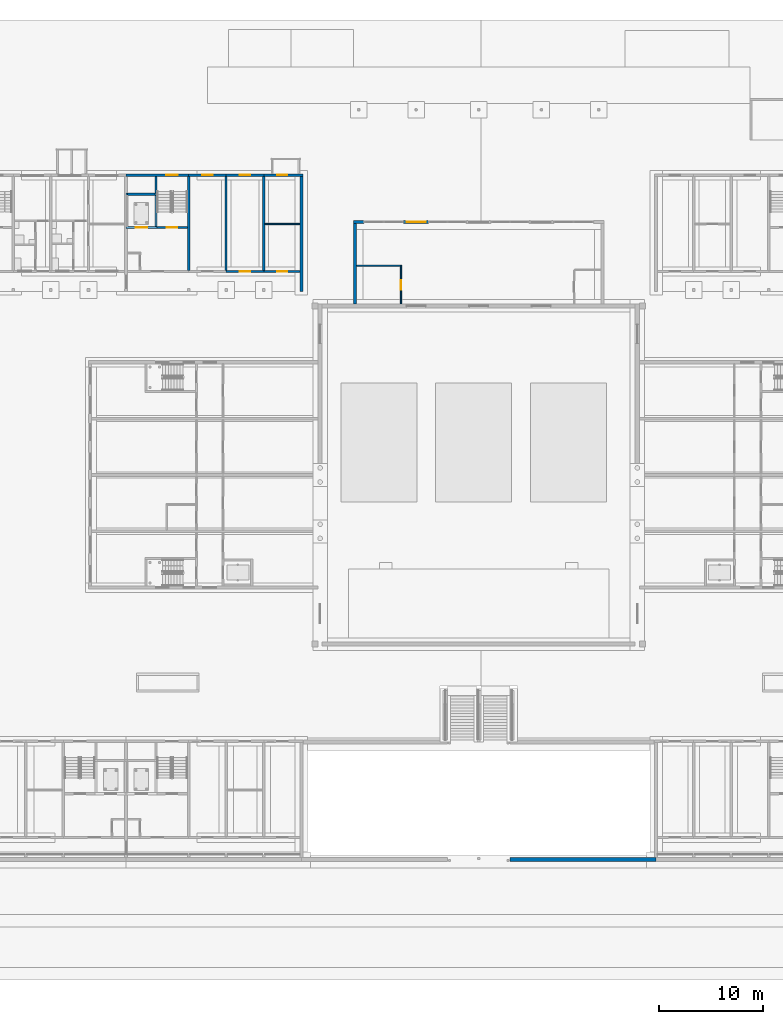
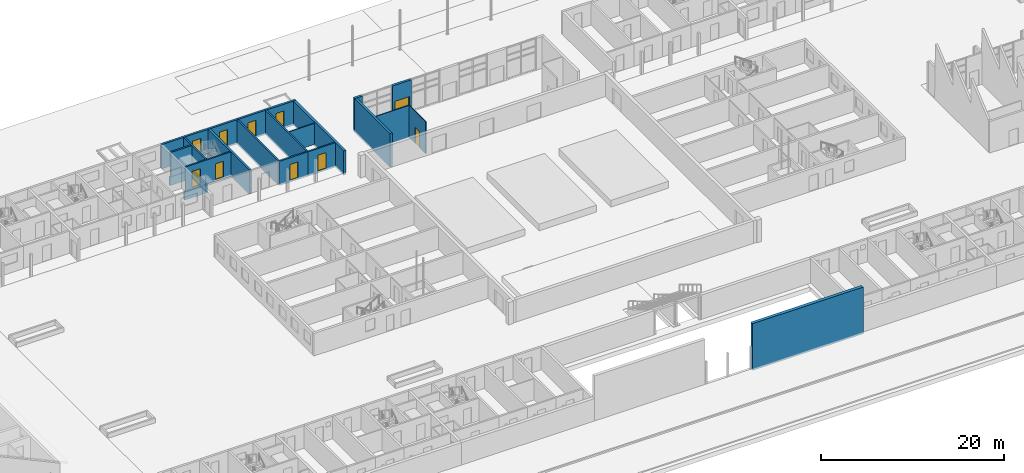
# One storey, part 53 of 112: 23 walls, 10 doors, 10 openings.
"""IFC4 building model written with IfcOpenShell, lengths in metres."""

from ifc_helpers import new_model, si_unit, direction, frame, frame_2d, origin, place, context, subcontext, project, spatial, rectangle, extrude, material, layer, layer_set, type_object, element, fill, save


model = new_model("IFC4")

# Units and contexts
model_context = context("Model", 3, precision=1e-05, world=origin(), true_north=direction((0.0, 1.0)))
body_context = subcontext(model_context, "Body", "Model", "MODEL_VIEW")
ifc_project = project(units=[si_unit("LENGTHUNIT", "METRE"), si_unit("AREAUNIT", "SQUARE_METRE"), si_unit("VOLUMEUNIT", "CUBIC_METRE"), si_unit("PLANEANGLEUNIT", "RADIAN"), si_unit("MASSUNIT", "GRAM", prefix="KILO")], contexts=[model_context])

# Site, building, storey
site_placement = place(None, origin())
site = spatial("IfcSite", under=ifc_project, at=site_placement, CompositionType="ELEMENT")
building_placement = place(site_placement, origin())
building = spatial("IfcBuilding", under=site, at=building_placement, Name="Ridgestep Commons", CompositionType="ELEMENT")
storey_placement = place(building_placement, origin())
storey = spatial("IfcBuildingStorey", under=building, at=storey_placement, Name="L00", CompositionType="ELEMENT", Elevation=0.0)

# Wall, opening, door
ifc_material_1 = material(Name="Common brick 110 mm", Category="masonry")
ifc_layer_1 = layer(ifc_material_1, 0.110107421875)
ifc_layer_set_1 = layer_set([ifc_layer_1], Name="Community partition 110")
wall_type_1 = type_object("IfcWallType", Name="Community partition 110", PredefinedType="PARTITIONING", material=ifc_layer_set_1)
wall_1_placement = place(storey_placement, frame((122.35498046875, 64.800048828125, 0.0), z_axis=(0.0, 0.0, 1.0), x_axis=(0.0, 1.0, 0.0)))
wall_1 = element("IfcWall", 1, at=wall_1_placement, inside=storey, type_object=wall_type_1, Name="Community partition 110", PredefinedType="PARTITIONING", context=body_context, shape_type="SweptSolid", body=[
    extrude(rectangle(XDim=3.599853515625, YDim=0.110107421875, at=frame_2d((1.7998046875, 0.0))), origin(), (0.0, 0.0, 1.0), 4.25),
])
opening_1_placement = place(wall_1_placement, frame((1.35009765625, 0.0, 0.0)))
opening_1 = element("IfcOpeningElement", 2, at=opening_1_placement, cuts=wall_1, Name="Opening C050", PredefinedType="OPENING", context=body_context, shape_type="SweptSolid", body=[
    extrude(rectangle(XDim=0.89990234375, YDim=2.10009765625, at=frame_2d((0.449951171875, 1.050048828125))), frame((0.0, 0.06494140625, 0.0), z_axis=(0.0, -1.0, 0.0), x_axis=(1.0, 0.0, 0.0)), (0.0, 0.0, 1.0), 0.130126953125),
])
ifc_material_2 = material(Name="Timber", Category="wood")
door_type_1 = type_object("IfcDoorType", Name="Community door 900 x 2100", OperationType="SINGLE_SWING_LEFT", PredefinedType="DOOR", material=ifc_material_2)
door_1_placement = place(opening_1_placement, origin())
door_1 = element("IfcDoor", 3, at=door_1_placement, inside=storey, type_object=door_type_1, Name="Community door 900 x 2100", OperationType="SINGLE_SWING_LEFT", OverallHeight=2.10009765625, OverallWidth=0.89990234375, PredefinedType="DOOR", context=body_context, shape_type="SweptSolid", body=[
    extrude(rectangle(XDim=0.89990234375, YDim=2.10009765625, at=frame_2d((0.449951171875, 1.050048828125))), frame((0.0, 0.02490234375, 0.0), z_axis=(0.0, -1.0, 0.0), x_axis=(1.0, 0.0, 0.0)), (0.0, 0.0, 1.0), 0.050048828125),
])
fill(opening_1, door_1)

# Walls
wall_2_placement = place(storey_placement, frame((118.10009765625, 68.455078125, 0.0), z_axis=(0.0, 0.0, 1.0), x_axis=(1.0, 0.0, 0.0)))
element("IfcWall", 4, at=wall_2_placement, inside=storey, type_object=wall_type_1, Name="Community partition 110", PredefinedType="PARTITIONING", context=body_context, shape_type="SweptSolid", body=[
    extrude(rectangle(XDim=4.309814453125, YDim=0.110107421875, at=frame_2d((2.15478515625, 0.0))), origin(), (0.0, 0.0, 1.0), 4.25),
])
ifc_material_3 = material(Name="Concrete C30/37", Category="concrete")
ifc_layer_2 = layer(ifc_material_3, 0.39990234375)
ifc_layer_set_2 = layer_set([ifc_layer_2], Name="Community retaining wall 400")
wall_type_2 = type_object("IfcWallType", Name="Community retaining wall 400", PredefinedType="SOLIDWALL", material=ifc_layer_set_2)
wall_3_placement = place(storey_placement, frame((132.800048828125, 11.550048828125, -0.25), z_axis=(0.0, 0.0, 1.0), x_axis=(1.0, 0.0, 0.0)))
element("IfcWall", 5, at=wall_3_placement, inside=storey, type_object=wall_type_2, Name="Community retaining wall 400", PredefinedType="SOLIDWALL", context=body_context, shape_type="SweptSolid", body=[
    extrude(rectangle(XDim=14.0, YDim=0.39990234375, at=frame_2d((7.0, 0.0))), origin(), (0.0, 0.0, 1.0), 6.25),
])
ifc_material_4 = material(Name="Concrete C30/37", Category="concrete")
ifc_layer_3 = layer(ifc_material_4, 0.25)
ifc_layer_set_3 = layer_set([ifc_layer_3], Name="Core cross wall 250")
wall_type_3 = type_object("IfcWallType", Name="Core cross wall 250", PredefinedType="SHEAR", material=ifc_layer_set_3)
wall_4_placement = place(storey_placement, frame((102.0, 68.0, -0.25), z_axis=(0.0, 0.0, 1.0), x_axis=(0.0, 1.0, 0.0)))
element("IfcWall", 6, at=wall_4_placement, inside=storey, type_object=wall_type_3, Name="Cross wall B-00-1020", PredefinedType="SHEAR", context=body_context, shape_type="SweptSolid", body=[
    extrude(rectangle(XDim=9.0, YDim=0.25, at=frame_2d((4.5, 0.0))), origin(), (0.0, 0.0, 1.0), 3.25),
])

# Wall, openings, doors
ifc_material_5 = material(Name="Concrete C30/37", Category="concrete")
ifc_layer_4 = layer(ifc_material_5, 0.199951171875)
ifc_layer_set_4 = layer_set([ifc_layer_4], Name="Core wall 200")
wall_type_4 = type_object("IfcWallType", Name="Core wall 200", PredefinedType="SHEAR", material=ifc_layer_set_4)
wall_5_placement = place(storey_placement, frame((96.14990234375, 72.10009765625, -0.25), z_axis=(0.0, 0.0, 1.0), x_axis=(1.0, 0.0, 0.0)))
wall_5 = element("IfcWall", 7, at=wall_5_placement, inside=storey, type_object=wall_type_4, Name="Core lobby wall B6C L00", PredefinedType="SHEAR", context=body_context, shape_type="SweptSolid", body=[
    extrude(rectangle(XDim=5.72509765625, YDim=0.199951171875, at=frame_2d((2.862548828125, 0.0))), origin(), (0.0, 0.0, 1.0), 3.25),
])
opening_2_placement = place(wall_5_placement, frame((3.77490234375, 0.0, 0.25)))
opening_2 = element("IfcOpeningElement", 8, at=opening_2_placement, cuts=wall_5, Name="Opening B6C/00/2", PredefinedType="OPENING", context=body_context, shape_type="SweptSolid", body=[
    extrude(rectangle(XDim=1.0, YDim=2.10009765625, at=frame_2d((0.5, 1.050048828125))), frame((0.0, 0.10986328125, 0.0), z_axis=(0.0, -1.0, 0.0), x_axis=(1.0, 0.0, 0.0)), (0.0, 0.0, 1.0), 0.219970703125),
])
opening_3_placement = place(wall_5_placement, frame((0.762451171875, 0.0, 0.25)))
opening_3 = element("IfcOpeningElement", 9, at=opening_3_placement, cuts=wall_5, Name="Opening B6C/00/3", PredefinedType="OPENING", context=body_context, shape_type="SweptSolid", body=[
    extrude(rectangle(XDim=1.10009765625, YDim=2.10009765625, at=frame_2d((0.550048828125, 1.050048828125))), frame((0.0, 0.10986328125, 0.0), z_axis=(0.0, -1.0, 0.0), x_axis=(1.0, 0.0, 0.0)), (0.0, 0.0, 1.0), 0.219970703125),
])
ifc_material_6 = material(Name="Stainless steel", Category="steel")
door_type_2 = type_object("IfcDoorType", Name="Lift landing door 1100 x 2100 FD60", OperationType="DOUBLE_DOOR_SLIDING", PredefinedType="DOOR", material=ifc_material_6)
door_2_placement = place(opening_3_placement, origin())
door_2 = element("IfcDoor", 10, at=door_2_placement, inside=storey, type_object=door_type_2, Name="Landing door LD B6C L00", OperationType="DOUBLE_DOOR_SLIDING", OverallHeight=2.10009765625, OverallWidth=1.10009765625, PredefinedType="DOOR", context=body_context, shape_type="SweptSolid", body=[
    extrude(rectangle(XDim=1.10009765625, YDim=2.10009765625, at=frame_2d((0.550048828125, 1.050048828125))), frame((0.0, 0.02490234375, 0.0), z_axis=(0.0, -1.0, 0.0), x_axis=(1.0, 0.0, 0.0)), (0.0, 0.0, 1.0), 0.050048828125),
])
fill(opening_3, door_2)
ifc_material_7 = material(Name="Steel fire door", Category="steel")
door_type_3 = type_object("IfcDoorType", Name="Stair door 1000 x 2100 FD60", OperationType="NOTDEFINED", PredefinedType="DOOR", material=ifc_material_7)
door_3_placement = place(opening_2_placement, origin())
door_3 = element("IfcDoor", 11, at=door_3_placement, inside=storey, type_object=door_type_3, Name="Stair door B6C/00/2", OperationType="SINGLE_SWING_RIGHT", OverallHeight=2.10009765625, OverallWidth=1.0, PredefinedType="DOOR", context=body_context, shape_type="SweptSolid", body=[
    extrude(rectangle(XDim=1.0, YDim=2.10009765625, at=frame_2d((0.5, 1.050048828125))), frame((0.0, 0.02490234375, 0.0), z_axis=(0.0, -1.0, 0.0), x_axis=(1.0, 0.0, 0.0)), (0.0, 0.0, 1.0), 0.050048828125),
])
fill(opening_2, door_3)

# Walls
wall_6_placement = place(storey_placement, frame((98.875, 72.199951171875, -0.25), z_axis=(0.0, 0.0, 1.0), x_axis=(0.0, 1.0, 0.0)))
element("IfcWall", 12, at=wall_6_placement, inside=storey, type_object=wall_type_4, Name="Core stair wall B6C L00", PredefinedType="SHEAR", context=body_context, shape_type="SweptSolid", body=[
    extrude(rectangle(XDim=4.800048828125, YDim=0.199951171875, at=frame_2d((2.39990234375, 0.0))), origin(), (0.0, 0.0, 1.0), 3.25),
])
wall_7_placement = place(storey_placement, frame((96.14990234375, 75.300048828125, -0.25), z_axis=(0.0, 0.0, 1.0), x_axis=(1.0, 0.0, 0.0)))
element("IfcWall", 13, at=wall_7_placement, inside=storey, type_object=wall_type_4, Name="Core duct wall B6C L00", PredefinedType="SHEAR", context=body_context, shape_type="SweptSolid", body=[
    extrude(rectangle(XDim=2.625, YDim=0.199951171875, at=frame_2d((1.3125, 0.0))), origin(), (0.0, 0.0, 1.0), 3.25),
])
for number, where, z_axis, x_axis, name in (
    (14, (96.0, 72.10009765625, -1.39990234375), (0.0, 0.0, 1.0), (1.0, 0.0, 0.0), "Lift pit wall B6C"),
    (15, (96.0, 75.300048828125, -1.39990234375), (0.0, 0.0, 1.0), (1.0, 0.0, 0.0), "Lift pit wall B6C"),
):
    element("IfcWall", number, at=place(storey_placement, frame(where, z_axis=z_axis, x_axis=x_axis)), inside=storey, type_object=wall_type_4, Name=name, PredefinedType="SHEAR", context=body_context, shape_type="SweptSolid", body=[
        extrude(rectangle(XDim=2.97509765625, YDim=0.199951171875, at=frame_2d((1.487548828125, 0.0))), origin(), (0.0, 0.0, 1.0), 1.14990234375),
    ])
wall_8_placement = place(storey_placement, frame((98.875, 72.199951171875, -1.39990234375), z_axis=(0.0, 0.0, 1.0), x_axis=(0.0, 1.0, 0.0)))
element("IfcWall", 16, at=wall_8_placement, inside=storey, type_object=wall_type_4, Name="Lift pit wall B6C", PredefinedType="SHEAR", context=body_context, shape_type="SweptSolid", body=[
    extrude(rectangle(XDim=3.0, YDim=0.199951171875, at=frame_2d((1.5, 0.0))), origin(), (0.0, 0.0, 1.0), 1.14990234375),
])
ifc_material_8 = material(Name="Precast concrete C40/50", Category="concrete")
ifc_layer_5 = layer(ifc_material_8, 0.199951171875)
ifc_layer_set_5 = layer_set([ifc_layer_5], Name="Cross wall 200")
wall_type_5 = type_object("IfcWallType", Name="Cross wall 200", PredefinedType="SHEAR", material=ifc_layer_set_5)
for number, where, z_axis, x_axis, name in (
    (17, (105.60009765625, 68.0, -0.25), (0.0, 0.0, 1.0), (0.0, 1.0, 0.0), "Cross wall B-00-1056"),
    (18, (109.199951171875, 68.0, -0.25), (0.0, 0.0, 1.0), (0.0, 1.0, 0.0), "Cross wall B-00-1092"),
):
    element("IfcWall", number, at=place(storey_placement, frame(where, z_axis=z_axis, x_axis=x_axis)), inside=storey, type_object=wall_type_5, Name=name, PredefinedType="SHEAR", context=body_context, shape_type="SweptSolid", body=[
        extrude(rectangle(XDim=9.0, YDim=0.199951171875, at=frame_2d((4.5, 0.0))), origin(), (0.0, 0.0, 1.0), 3.25),
    ])
ifc_material_9 = material(Name="Precast concrete C40/50", Category="concrete")
ifc_layer_6 = layer(ifc_material_9, 0.300048828125)
ifc_layer_set_6 = layer_set([ifc_layer_6], Name="Exposed division wall 300")
wall_type_6 = type_object("IfcWallType", Name="Exposed division wall 300", PredefinedType="SHEAR", material=ifc_layer_set_6)
wall_9_placement = place(storey_placement, frame((112.800048828125, 66.0, -0.25), z_axis=(0.0, 0.0, 1.0), x_axis=(0.0, 1.0, 0.0)))
element("IfcWall", 19, at=wall_9_placement, inside=storey, type_object=wall_type_6, Name="Cross wall B-00-1128", PredefinedType="SHEAR", context=body_context, shape_type="SweptSolid", body=[
    extrude(rectangle(XDim=11.0, YDim=0.300048828125, at=frame_2d((5.5, 0.0))), origin(), (0.0, 0.0, 1.0), 3.25),
])
ifc_material_10 = material(Name="Precast concrete C40/50", Category="concrete")
ifc_layer_7 = layer(ifc_material_10, 0.300048828125)
ifc_layer_set_7 = layer_set([ifc_layer_7], Name="Foyer wall 300")
wall_type_7 = type_object("IfcWallType", Name="Foyer wall 300", PredefinedType="SOLIDWALL", material=ifc_layer_set_7)
wall_10_placement = place(storey_placement, frame((117.949951171875, 64.800048828125, -0.25), z_axis=(0.0, 0.0, 1.0), x_axis=(0.0, 1.0, 0.0)))
element("IfcWall", 20, at=wall_10_placement, inside=storey, type_object=wall_type_7, Name="Foyer wall 300", PredefinedType="SOLIDWALL", context=body_context, shape_type="SweptSolid", body=[
    extrude(rectangle(XDim=7.699951171875, YDim=0.300048828125, at=frame_2d((3.85009765625, 0.0))), origin(), (0.0, 0.0, 1.0), 4.5),
])
wall_11_placement = place(storey_placement, frame((117.800048828125, 72.64990234375, -0.25), z_axis=(0.0, 0.0, 1.0), x_axis=(1.0, 0.0, 0.0)))
element("IfcWall", 21, at=wall_11_placement, inside=storey, type_object=wall_type_7, Name="Foyer wall 300", PredefinedType="SOLIDWALL", context=body_context, shape_type="SweptSolid", body=[
    extrude(rectangle(XDim=1.0, YDim=0.300048828125, at=frame_2d((0.5, 0.0))), origin(), (0.0, 0.0, 1.0), 4.5),
])

# Wall, opening, door
wall_12_placement = place(storey_placement, frame((122.60009765625, 72.64990234375, -0.25), z_axis=(0.0, 0.0, 1.0), x_axis=(1.0, 0.0, 0.0)))
wall_12 = element("IfcWall", 22, at=wall_12_placement, inside=storey, type_object=wall_type_7, Name="Foyer wall 300", PredefinedType="SOLIDWALL", context=body_context, shape_type="SweptSolid", body=[
    extrude(rectangle(XDim=2.39990234375, YDim=0.300048828125, at=frame_2d((1.199951171875, 0.0))), origin(), (0.0, 0.0, 1.0), 4.5),
])
opening_4_placement = place(wall_12_placement, frame((0.300048828125, 0.0, 0.25)))
opening_4 = element("IfcOpeningElement", 23, at=opening_4_placement, cuts=wall_12, Name="Opening C005", PredefinedType="OPENING", context=body_context, shape_type="SweptSolid", body=[
    extrude(rectangle(XDim=1.800048828125, YDim=2.10009765625, at=frame_2d((0.89990234375, 1.050048828125))), frame((0.0, 0.159912109375, 0.0), z_axis=(0.0, -1.0, 0.0), x_axis=(1.0, 0.0, 0.0)), (0.0, 0.0, 1.0), 0.320068359375),
])
ifc_material_11 = material(Name="Aluminium and glass", Category="aluminium")
door_type_4 = type_object("IfcDoorType", Name="Community pair of doors 1800 x 2100", OperationType="DOUBLE_DOOR_SINGLE_SWING", PredefinedType="DOOR", material=ifc_material_11)
door_4_placement = place(opening_4_placement, origin())
door_4 = element("IfcDoor", 24, at=door_4_placement, inside=storey, type_object=door_type_4, Name="Community pair of doors 1800 x 2100", OperationType="DOUBLE_DOOR_SINGLE_SWING", OverallHeight=2.10009765625, OverallWidth=1.800048828125, PredefinedType="DOOR", context=body_context, shape_type="SweptSolid", body=[
    extrude(rectangle(XDim=1.800048828125, YDim=2.10009765625, at=frame_2d((0.89990234375, 1.050048828125))), frame((0.0, 0.02490234375, 0.0), z_axis=(0.0, -1.0, 0.0), x_axis=(1.0, 0.0, 0.0)), (0.0, 0.0, 1.0), 0.050048828125),
])
fill(opening_4, door_4)

ifc_material_12 = material(Name="Precast concrete C40/50", Category="concrete")
ifc_layer_8 = layer(ifc_material_12, 0.25)
ifc_layer_set_8 = layer_set([ifc_layer_8], Name="North facade panel 250")
wall_type_8 = type_object("IfcWallType", Name="North facade panel 250", PredefinedType="SOLIDWALL", material=ifc_layer_set_8)
wall_13_placement = place(storey_placement, frame((96.0, 77.125, -0.25), z_axis=(0.0, 0.0, 1.0), x_axis=(1.0, 0.0, 0.0)))
wall_13 = element("IfcWall", 25, at=wall_13_placement, inside=storey, type_object=wall_type_8, Name="North panel B6C L00", PredefinedType="SOLIDWALL", context=body_context, shape_type="SweptSolid", body=[
    extrude(rectangle(XDim=6.0, YDim=0.25, at=frame_2d((3.0, 0.0))), origin(), (0.0, 0.0, 1.0), 3.25),
])
opening_5_placement = place(wall_13_placement, frame((3.875, 0.0, 0.25)))
opening_5 = element("IfcOpeningElement", 26, at=opening_5_placement, cuts=wall_13, Name="Opening B6C/00/5", PredefinedType="OPENING", context=body_context, shape_type="SweptSolid", body=[
    extrude(rectangle(XDim=1.10009765625, YDim=2.10009765625, at=frame_2d((0.550048828125, 1.050048828125))), frame((0.0, 0.135009765625, 0.0), z_axis=(0.0, -1.0, 0.0), x_axis=(1.0, 0.0, 0.0)), (0.0, 0.0, 1.0), 0.27001953125),
])
ifc_material_13 = material(Name="Steel fire door", Category="steel")
door_type_5 = type_object("IfcDoorType", Name="Stair exit door 1100 x 2100 FD60", OperationType="NOTDEFINED", PredefinedType="DOOR", material=ifc_material_13)
door_5_placement = place(opening_5_placement, origin())
door_5 = element("IfcDoor", 27, at=door_5_placement, inside=storey, type_object=door_type_5, Name="Stair exit door B6C/00/5", OperationType="SINGLE_SWING_LEFT", OverallHeight=2.10009765625, OverallWidth=1.10009765625, PredefinedType="DOOR", context=body_context, shape_type="SweptSolid", body=[
    extrude(rectangle(XDim=1.10009765625, YDim=2.10009765625, at=frame_2d((0.550048828125, 1.050048828125))), frame((0.0, 0.02490234375, 0.0), z_axis=(0.0, -1.0, 0.0), x_axis=(1.0, 0.0, 0.0)), (0.0, 0.0, 1.0), 0.050048828125),
])
fill(opening_5, door_5)

wall_14_placement = place(storey_placement, frame((102.0, 77.125, -0.25), z_axis=(0.0, 0.0, 1.0), x_axis=(1.0, 0.0, 0.0)))
wall_14 = element("IfcWall", 28, at=wall_14_placement, inside=storey, type_object=wall_type_8, Name="North panel B6T3 L00", PredefinedType="SOLIDWALL", context=body_context, shape_type="SweptSolid", body=[
    extrude(rectangle(XDim=3.60009765625, YDim=0.25, at=frame_2d((1.800048828125, 0.0))), origin(), (0.0, 0.0, 1.0), 3.25),
])
opening_6_placement = place(wall_14_placement, frame((1.3125, 0.0, 0.25)))
opening_6 = element("IfcOpeningElement", 29, at=opening_6_placement, cuts=wall_14, Name="Opening B6-00s/2", PredefinedType="OPENING", context=body_context, shape_type="SweptSolid", body=[
    extrude(rectangle(XDim=1.0, YDim=2.10009765625, at=frame_2d((0.5, 1.050048828125))), frame((0.0, 0.135009765625, 0.0), z_axis=(0.0, -1.0, 0.0), x_axis=(1.0, 0.0, 0.0)), (0.0, 0.0, 1.0), 0.27001953125),
])
ifc_material_14 = material(Name="Steel door leaf", Category="steel")
door_type_6 = type_object("IfcDoorType", Name="Exterior door 1000 x 2100", OperationType="NOTDEFINED", PredefinedType="DOOR", material=ifc_material_14)
door_6_placement = place(opening_6_placement, origin())
door_6 = element("IfcDoor", 30, at=door_6_placement, inside=storey, type_object=door_type_6, Name="Exterior door B6-00s/2", OperationType="SINGLE_SWING_LEFT", OverallHeight=2.10009765625, OverallWidth=1.0, PredefinedType="DOOR", context=body_context, shape_type="SweptSolid", body=[
    extrude(rectangle(XDim=1.0, YDim=2.10009765625, at=frame_2d((0.5, 1.050048828125))), frame((0.0, 0.02490234375, 0.0), z_axis=(0.0, -1.0, 0.0), x_axis=(1.0, 0.0, 0.0)), (0.0, 0.0, 1.0), 0.050048828125),
])
fill(opening_6, door_6)

wall_15_placement = place(storey_placement, frame((105.60009765625, 77.125, -0.25), z_axis=(0.0, 0.0, 1.0), x_axis=(1.0, 0.0, 0.0)))
wall_15 = element("IfcWall", 31, at=wall_15_placement, inside=storey, type_object=wall_type_8, Name="North panel B6T2 L00", PredefinedType="SOLIDWALL", context=body_context, shape_type="SweptSolid", body=[
    extrude(rectangle(XDim=3.599853515625, YDim=0.25, at=frame_2d((1.7998046875, 0.0))), origin(), (0.0, 0.0, 1.0), 3.25),
])
opening_7_placement = place(wall_15_placement, frame((1.300048828125, 0.0, 0.25)))
opening_7 = element("IfcOpeningElement", 32, at=opening_7_placement, cuts=wall_15, Name="Opening B6-00s/4", PredefinedType="OPENING", context=body_context, shape_type="SweptSolid", body=[
    extrude(rectangle(XDim=1.0, YDim=2.10009765625, at=frame_2d((0.5, 1.050048828125))), frame((0.0, 0.135009765625, 0.0), z_axis=(0.0, -1.0, 0.0), x_axis=(1.0, 0.0, 0.0)), (0.0, 0.0, 1.0), 0.27001953125),
])
door_7_placement = place(opening_7_placement, origin())
door_7 = element("IfcDoor", 33, at=door_7_placement, inside=storey, type_object=door_type_6, Name="Exterior door B6-00s/4", OperationType="SINGLE_SWING_LEFT", OverallHeight=2.10009765625, OverallWidth=1.0, PredefinedType="DOOR", context=body_context, shape_type="SweptSolid", body=[
    extrude(rectangle(XDim=1.0, YDim=2.10009765625, at=frame_2d((0.5, 1.050048828125))), frame((0.0, 0.02490234375, 0.0), z_axis=(0.0, -1.0, 0.0), x_axis=(1.0, 0.0, 0.0)), (0.0, 0.0, 1.0), 0.050048828125),
])
fill(opening_7, door_7)

wall_16_placement = place(storey_placement, frame((109.199951171875, 77.125, -0.25), z_axis=(0.0, 0.0, 1.0), x_axis=(1.0, 0.0, 0.0)))
wall_16 = element("IfcWall", 34, at=wall_16_placement, inside=storey, type_object=wall_type_8, Name="North panel B6T1 L00", PredefinedType="SOLIDWALL", context=body_context, shape_type="SweptSolid", body=[
    extrude(rectangle(XDim=3.75, YDim=0.25, at=frame_2d((1.875, 0.0))), origin(), (0.0, 0.0, 1.0), 3.25),
])
opening_8_placement = place(wall_16_placement, frame((1.27490234375, 0.0, 0.25)))
opening_8 = element("IfcOpeningElement", 35, at=opening_8_placement, cuts=wall_16, Name="Opening B6-00s/6", PredefinedType="OPENING", context=body_context, shape_type="SweptSolid", body=[
    extrude(rectangle(XDim=1.0, YDim=2.10009765625, at=frame_2d((0.5, 1.050048828125))), frame((0.0, 0.135009765625, 0.0), z_axis=(0.0, -1.0, 0.0), x_axis=(1.0, 0.0, 0.0)), (0.0, 0.0, 1.0), 0.27001953125),
])
door_8_placement = place(opening_8_placement, origin())
door_8 = element("IfcDoor", 36, at=door_8_placement, inside=storey, type_object=door_type_6, Name="Exterior door B6-00s/6", OperationType="SINGLE_SWING_LEFT", OverallHeight=2.10009765625, OverallWidth=1.0, PredefinedType="DOOR", context=body_context, shape_type="SweptSolid", body=[
    extrude(rectangle(XDim=1.0, YDim=2.10009765625, at=frame_2d((0.5, 1.050048828125))), frame((0.0, 0.02490234375, 0.0), z_axis=(0.0, -1.0, 0.0), x_axis=(1.0, 0.0, 0.0)), (0.0, 0.0, 1.0), 0.050048828125),
])
fill(opening_8, door_8)

# Wall
ifc_material_15 = material(Name="Common brick 110 mm", Category="masonry")
ifc_layer_9 = layer(ifc_material_15, 0.110107421875)
ifc_layer_set_9 = layer_set([ifc_layer_9], Name="Partition 110")
wall_type_9 = type_object("IfcWallType", Name="Partition 110", PredefinedType="PARTITIONING", material=ifc_layer_set_9)
wall_17_placement = place(storey_placement, frame((109.300048828125, 72.455078125, 0.0), z_axis=(0.0, 0.0, 1.0), x_axis=(1.0, 0.0, 0.0)))
element("IfcWall", 37, at=wall_17_placement, inside=storey, type_object=wall_type_9, Name="Partition B6-00s", PredefinedType="PARTITIONING", context=body_context, shape_type="SweptSolid", body=[
    extrude(rectangle(XDim=3.349853515625, YDim=0.110107421875, at=frame_2d((1.6748046875, 0.0))), origin(), (0.0, 0.0, 1.0), 2.800048828125),
])

# Wall, opening, door
ifc_material_16 = material(Name="Precast concrete C40/50", Category="concrete")
ifc_layer_10 = layer(ifc_material_16, 0.199951171875)
ifc_layer_set_10 = layer_set([ifc_layer_10], Name="South facade panel 200")
wall_type_10 = type_object("IfcWallType", Name="South facade panel 200", PredefinedType="SOLIDWALL", material=ifc_layer_set_10)
wall_18_placement = place(storey_placement, frame((105.60009765625, 67.89990234375, -0.25), z_axis=(0.0, 0.0, 1.0), x_axis=(1.0, 0.0, 0.0)))
wall_18 = element("IfcWall", 38, at=wall_18_placement, inside=storey, type_object=wall_type_10, Name="South panel B6T2 L00", PredefinedType="SOLIDWALL", context=body_context, shape_type="SweptSolid", body=[
    extrude(rectangle(XDim=3.599853515625, YDim=0.199951171875, at=frame_2d((1.7998046875, 0.0))), origin(), (0.0, 0.0, 1.0), 3.25),
])
opening_9_placement = place(wall_18_placement, frame((1.300048828125, 0.0, 0.25)))
opening_9 = element("IfcOpeningElement", 39, at=opening_9_placement, cuts=wall_18, Name="Opening B6-00s/3", PredefinedType="OPENING", context=body_context, shape_type="SweptSolid", body=[
    extrude(rectangle(XDim=1.0, YDim=2.10009765625, at=frame_2d((0.5, 1.050048828125))), frame((0.0, 0.10986328125, 0.0), z_axis=(0.0, -1.0, 0.0), x_axis=(1.0, 0.0, 0.0)), (0.0, 0.0, 1.0), 0.219970703125),
])
ifc_material_17 = material(Name="Steel door leaf", Category="steel")
door_type_7 = type_object("IfcDoorType", Name="Store door 1000 x 2100", OperationType="NOTDEFINED", PredefinedType="DOOR", material=ifc_material_17)
door_9_placement = place(opening_9_placement, origin())
door_9 = element("IfcDoor", 40, at=door_9_placement, inside=storey, type_object=door_type_7, Name="Store door B6-00s/3", OperationType="SINGLE_SWING_RIGHT", OverallHeight=2.10009765625, OverallWidth=1.0, PredefinedType="DOOR", context=body_context, shape_type="SweptSolid", body=[
    extrude(rectangle(XDim=1.0, YDim=2.10009765625, at=frame_2d((0.5, 1.050048828125))), frame((0.0, 0.02490234375, 0.0), z_axis=(0.0, -1.0, 0.0), x_axis=(1.0, 0.0, 0.0)), (0.0, 0.0, 1.0), 0.050048828125),
])
fill(opening_9, door_9)

wall_19_placement = place(storey_placement, frame((109.199951171875, 67.89990234375, -0.25), z_axis=(0.0, 0.0, 1.0), x_axis=(1.0, 0.0, 0.0)))
wall_19 = element("IfcWall", 41, at=wall_19_placement, inside=storey, type_object=wall_type_10, Name="South panel B6T1 L00", PredefinedType="SOLIDWALL", context=body_context, shape_type="SweptSolid", body=[
    extrude(rectangle(XDim=3.449951171875, YDim=0.199951171875, at=frame_2d((1.72509765625, 0.0))), origin(), (0.0, 0.0, 1.0), 3.25),
])
opening_10_placement = place(wall_19_placement, frame((1.27490234375, 0.0, 0.25)))
opening_10 = element("IfcOpeningElement", 42, at=opening_10_placement, cuts=wall_19, Name="Opening B6-00s/5", PredefinedType="OPENING", context=body_context, shape_type="SweptSolid", body=[
    extrude(rectangle(XDim=1.0, YDim=2.10009765625, at=frame_2d((0.5, 1.050048828125))), frame((0.0, 0.10986328125, 0.0), z_axis=(0.0, -1.0, 0.0), x_axis=(1.0, 0.0, 0.0)), (0.0, 0.0, 1.0), 0.219970703125),
])
ifc_material_18 = material(Name="Steel door leaf", Category="steel")
door_type_8 = type_object("IfcDoorType", Name="Store door 1000 x 2100 FD60", OperationType="NOTDEFINED", PredefinedType="DOOR", material=ifc_material_18)
door_10_placement = place(opening_10_placement, origin())
door_10 = element("IfcDoor", 43, at=door_10_placement, inside=storey, type_object=door_type_8, Name="Store door B6-00s/5", OperationType="SINGLE_SWING_RIGHT", OverallHeight=2.10009765625, OverallWidth=1.0, PredefinedType="DOOR", context=body_context, shape_type="SweptSolid", body=[
    extrude(rectangle(XDim=1.0, YDim=2.10009765625, at=frame_2d((0.5, 1.050048828125))), frame((0.0, 0.02490234375, 0.0), z_axis=(0.0, -1.0, 0.0), x_axis=(1.0, 0.0, 0.0)), (0.0, 0.0, 1.0), 0.050048828125),
])
fill(opening_10, door_10)

save(model, "model.ifc")
